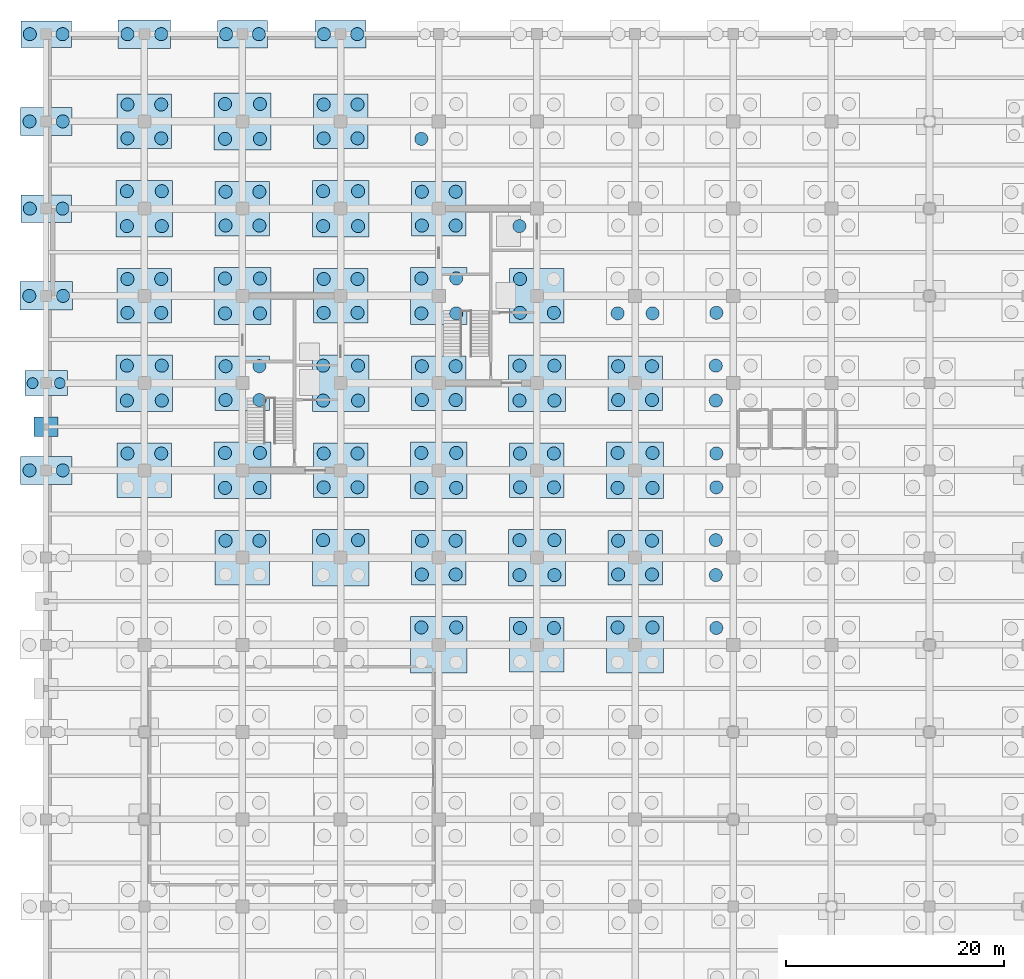
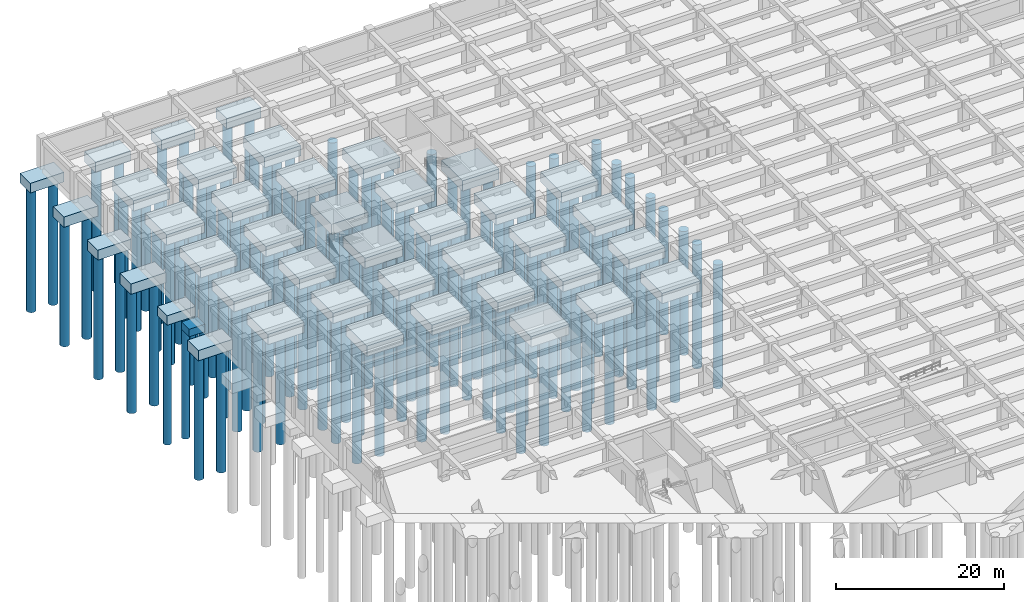
# One storey, part 4 of 31: 145 piles, 42 footings.
"""IFC4 building model written with IfcOpenShell, lengths in metres."""

from ifc_helpers import new_model, si_unit, direction, frame, origin, origin_2d, place, context, subcontext, project, spatial, rectangle, circle, extrude, material, layer, layer_set, material_profile, profile_set, type_object, element, save


model = new_model("IFC4")

# Units and contexts
model_context = context("Model", 3, precision=1e-05, world=origin(), true_north=direction((0.0, 1.0)))
body_context = subcontext(model_context, "Body", "Model", "MODEL_VIEW")
ifc_project = project(units=[si_unit("LENGTHUNIT", "METRE"), si_unit("AREAUNIT", "SQUARE_METRE"), si_unit("VOLUMEUNIT", "CUBIC_METRE"), si_unit("PLANEANGLEUNIT", "RADIAN"), si_unit("MASSUNIT", "GRAM", prefix="KILO")], contexts=[model_context])

# Site, building, storey
site_placement = place(None, origin())
site = spatial("IfcSite", under=ifc_project, at=site_placement, CompositionType="ELEMENT")
building_placement = place(site_placement, origin())
building = spatial("IfcBuilding", under=site, at=building_placement, Name="Zaverband Oceanarium and Marine Research Institute", CompositionType="ELEMENT")
storey_placement = place(building_placement, frame((0.0, 0.0, -9.0)))
storey = spatial("IfcBuildingStorey", under=building, at=storey_placement, Name="B2", CompositionType="ELEMENT", Elevation=-9.0)

# Footings
ifc_material_1 = material(Name="Concrete C50/60", Category="concrete")
ifc_layer_1 = layer(ifc_material_1, 1.39990234375, Name="Concrete C50/60")
ifc_layer_set_1 = layer_set([ifc_layer_1], Name="Concrete C50/60")
footing_type_1 = type_object("IfcFootingType", Name="PC-3900x2300x1400", PredefinedType="PILE_CAP", material=ifc_layer_set_1)
footing_1_placement = place(storey_placement, frame((0.0, 88.0, -2.300048828125), z_axis=(0.0, 0.0, 1.0), x_axis=(1.0, 0.0, 0.0)))
element("IfcFooting", 1, at=footing_1_placement, inside=storey, type_object=footing_type_1, Name="Reinforced concrete pile cap PC-3900x2300x1400", PredefinedType="PILE_CAP", context=body_context, shape_type="SweptSolid", body=[
    extrude(rectangle(XDim=3.89990234375, YDim=2.300048828125, at=origin_2d()), origin(), (0.0, 0.0, 1.0), 1.39990234375),
])
ifc_layer_2 = layer(ifc_material_1, 1.449951171875, Name="Concrete C50/60")
ifc_layer_set_2 = layer_set([ifc_layer_2], Name="Concrete C50/60")
footing_type_2 = type_object("IfcFootingType", Name="PC-4600x2500x1450", PredefinedType="PILE_CAP", material=ifc_layer_set_2)
for number, where, z_axis, x_axis, name in (
    (2, (0.0, 104.0, -2.35009765625), (0.0, 0.0, 1.0), (1.0, 0.0, 0.0), "Reinforced concrete pile cap PC-4600x2500x1450"),
    (3, (18.0, 120.0, -2.35009765625), (0.0, 0.0, 1.0), (1.0, 0.0, 0.0), "Reinforced concrete pile cap PC-4600x2500x1450"),
):
    element("IfcFooting", number, at=place(storey_placement, frame(where, z_axis=z_axis, x_axis=x_axis)), inside=storey, type_object=footing_type_2, Name=name, PredefinedType="PILE_CAP", context=body_context, shape_type="SweptSolid", body=[
        extrude(rectangle(XDim=4.60009765625, YDim=2.5, at=origin_2d()), origin(), (0.0, 0.0, 1.0), 1.449951171875),
    ])
ifc_layer_3 = layer(ifc_material_1, 1.39990234375, Name="Concrete C50/60")
ifc_layer_set_3 = layer_set([ifc_layer_3], Name="Concrete C50/60")
footing_type_3 = type_object("IfcFootingType", Name="PC-4650x2450x1400", PredefinedType="PILE_CAP", material=ifc_layer_set_3)
footing_2_placement = place(storey_placement, frame((0.0, 120.0, -2.300048828125), z_axis=(0.0, 0.0, 1.0), x_axis=(1.0, 0.0, 0.0)))
element("IfcFooting", 4, at=footing_2_placement, inside=storey, type_object=footing_type_3, Name="Reinforced concrete pile cap PC-4650x2450x1400", PredefinedType="PILE_CAP", context=body_context, shape_type="SweptSolid", body=[
    extrude(rectangle(XDim=4.64990234375, YDim=2.449951171875, at=origin_2d()), origin(), (0.0, 0.0, 1.0), 1.39990234375),
])
ifc_layer_4 = layer(ifc_material_1, 1.5, Name="Concrete C50/60")
ifc_layer_set_4 = layer_set([ifc_layer_4], Name="Concrete C50/60")
footing_type_4 = type_object("IfcFootingType", Name="PC-4700x2550x1500", PredefinedType="PILE_CAP", material=ifc_layer_set_4)
for number, where, z_axis, x_axis, name in (
    (5, (0.0, 80.0, -2.39990234375), (0.0, 0.0, 1.0), (1.0, 0.0, 0.0), "Reinforced concrete pile cap PC-4700x2550x1500"),
    (6, (0.0, 112.0, -2.39990234375), (0.0, 0.0, 1.0), (1.0, 0.0, 0.0), "Reinforced concrete pile cap PC-4700x2550x1500"),
    (7, (27.0, 120.0, -2.39990234375), (0.0, 0.0, 1.0), (1.0, 0.0, 0.0), "Reinforced concrete pile cap PC-4700x2550x1500"),
):
    element("IfcFooting", number, at=place(storey_placement, frame(where, z_axis=z_axis, x_axis=x_axis)), inside=storey, type_object=footing_type_4, Name=name, PredefinedType="PILE_CAP", context=body_context, shape_type="SweptSolid", body=[
        extrude(rectangle(XDim=4.699951171875, YDim=2.550048828125, at=origin_2d()), origin(), (0.0, 0.0, 1.0), 1.5),
    ])
ifc_layer_5 = layer(ifc_material_1, 1.5, Name="Concrete C50/60")
ifc_layer_set_5 = layer_set([ifc_layer_5], Name="Concrete C50/60")
footing_type_5 = type_object("IfcFootingType", Name="PC-4800x2600x1500", PredefinedType="PILE_CAP", material=ifc_layer_set_5)
for number, where, z_axis, x_axis, name in (
    (8, (0.0, 96.0, -2.39990234375), (0.0, 0.0, 1.0), (1.0, 0.0, 0.0), "Reinforced concrete pile cap PC-4800x2600x1500"),
    (9, (9.0, 120.0, -2.39990234375), (0.0, 0.0, 1.0), (1.0, 0.0, 0.0), "Reinforced concrete pile cap PC-4800x2600x1500"),
):
    element("IfcFooting", number, at=place(storey_placement, frame(where, z_axis=z_axis, x_axis=x_axis)), inside=storey, type_object=footing_type_5, Name=name, PredefinedType="PILE_CAP", context=body_context, shape_type="SweptSolid", body=[
        extrude(rectangle(XDim=4.800048828125, YDim=2.60009765625, at=origin_2d()), origin(), (0.0, 0.0, 1.0), 1.5),
    ])
ifc_layer_6 = layer(ifc_material_1, 1.5, Name="Concrete C50/60")
ifc_layer_set_6 = layer_set([ifc_layer_6], Name="Concrete C50/60")
footing_type_6 = type_object("IfcFootingType", Name="PC-5000x5000x1500", PredefinedType="PILE_CAP", material=ifc_layer_set_6)
for number, where, z_axis, x_axis, name in (
    (10, (9.0, 80.0, -2.39990234375), (0.0, 0.0, 1.0), (1.0, 0.0, 0.0), "Reinforced concrete pile cap PC-5000x5000x1500"),
    (11, (9.0, 96.0, -2.39990234375), (0.0, 0.0, 1.0), (1.0, 0.0, 0.0), "Reinforced concrete pile cap PC-5000x5000x1500"),
    (12, (9.0, 112.0, -2.39990234375), (0.0, 0.0, 1.0), (1.0, 0.0, 0.0), "Reinforced concrete pile cap PC-5000x5000x1500"),
    (13, (18.0, 72.0, -2.39990234375), (0.0, 0.0, 1.0), (1.0, 0.0, 0.0), "Reinforced concrete pile cap PC-5000x5000x1500"),
    (14, (18.0, 88.0, -2.39990234375), (0.0, 0.0, 1.0), (1.0, 0.0, 0.0), "Reinforced concrete pile cap PC-5000x5000x1500"),
    (15, (18.0, 104.0, -2.39990234375), (0.0, 0.0, 1.0), (1.0, 0.0, 0.0), "Reinforced concrete pile cap PC-5000x5000x1500"),
    (16, (27.0, 80.0, -2.39990234375), (0.0, 0.0, 1.0), (1.0, 0.0, 0.0), "Reinforced concrete pile cap PC-5000x5000x1500"),
    (17, (27.0, 96.0, -2.39990234375), (0.0, 0.0, 1.0), (1.0, 0.0, 0.0), "Reinforced concrete pile cap PC-5000x5000x1500"),
    (18, (27.0, 112.0, -2.39990234375), (0.0, 0.0, 1.0), (1.0, 0.0, 0.0), "Reinforced concrete pile cap PC-5000x5000x1500"),
    (19, (36.0, 72.0, -2.39990234375), (0.0, 0.0, 1.0), (1.0, 0.0, 0.0), "Reinforced concrete pile cap PC-5000x5000x1500"),
    (20, (36.0, 88.0, -2.39990234375), (0.0, 0.0, 1.0), (1.0, 0.0, 0.0), "Reinforced concrete pile cap PC-5000x5000x1500"),
    (21, (36.0, 104.0, -2.39990234375), (0.0, 0.0, 1.0), (1.0, 0.0, 0.0), "Reinforced concrete pile cap PC-5000x5000x1500"),
    (22, (45.0, 64.0, -2.39990234375), (0.0, 0.0, 1.0), (1.0, 0.0, 0.0), "Reinforced concrete pile cap PC-5000x5000x1500"),
    (23, (45.0, 80.0, -2.39990234375), (0.0, 0.0, 1.0), (1.0, 0.0, 0.0), "Reinforced concrete pile cap PC-5000x5000x1500"),
    (24, (45.0, 96.0, -2.39990234375), (0.0, 0.0, 1.0), (1.0, 0.0, 0.0), "Reinforced concrete pile cap PC-5000x5000x1500"),
    (25, (54.0, 72.0, -2.39990234375), (0.0, 0.0, 1.0), (1.0, 0.0, 0.0), "Reinforced concrete pile cap PC-5000x5000x1500"),
    (26, (54.0, 88.0, -2.39990234375), (0.0, 0.0, 1.0), (1.0, 0.0, 0.0), "Reinforced concrete pile cap PC-5000x5000x1500"),
):
    element("IfcFooting", number, at=place(storey_placement, frame(where, z_axis=z_axis, x_axis=x_axis)), inside=storey, type_object=footing_type_6, Name=name, PredefinedType="PILE_CAP", context=body_context, shape_type="SweptSolid", body=[
        extrude(rectangle(XDim=5.0, YDim=5.0, at=origin_2d()), origin(), (0.0, 0.0, 1.0), 1.5),
    ])
ifc_layer_7 = layer(ifc_material_1, 1.5, Name="Concrete C50/60")
ifc_layer_set_7 = layer_set([ifc_layer_7], Name="Concrete C50/60")
footing_type_7 = type_object("IfcFootingType", Name="PC-5200x5200x1500", PredefinedType="PILE_CAP", material=ifc_layer_set_7)
for number, where, z_axis, x_axis, name in (
    (27, (9.0, 88.0, -2.39990234375), (0.0, 0.0, 1.0), (1.0, 0.0, 0.0), "Reinforced concrete pile cap PC-5200x5200x1500"),
    (28, (9.0, 104.0, -2.39990234375), (0.0, 0.0, 1.0), (1.0, 0.0, 0.0), "Reinforced concrete pile cap PC-5200x5200x1500"),
    (29, (18.0, 80.0, -2.39990234375), (0.0, 0.0, 1.0), (1.0, 0.0, 0.0), "Reinforced concrete pile cap PC-5200x5200x1500"),
    (30, (18.0, 96.0, -2.39990234375), (0.0, 0.0, 1.0), (1.0, 0.0, 0.0), "Reinforced concrete pile cap PC-5200x5200x1500"),
    (31, (18.0, 112.0, -2.39990234375), (0.0, 0.0, 1.0), (1.0, 0.0, 0.0), "Reinforced concrete pile cap PC-5200x5200x1500"),
    (32, (27.0, 72.0, -2.39990234375), (0.0, 0.0, 1.0), (1.0, 0.0, 0.0), "Reinforced concrete pile cap PC-5200x5200x1500"),
    (33, (27.0, 88.0, -2.39990234375), (0.0, 0.0, 1.0), (1.0, 0.0, 0.0), "Reinforced concrete pile cap PC-5200x5200x1500"),
    (34, (27.0, 104.0, -2.39990234375), (0.0, 0.0, 1.0), (1.0, 0.0, 0.0), "Reinforced concrete pile cap PC-5200x5200x1500"),
    (35, (36.0, 64.0, -2.39990234375), (0.0, 0.0, 1.0), (1.0, 0.0, 0.0), "Reinforced concrete pile cap PC-5200x5200x1500"),
    (36, (36.0, 80.0, -2.39990234375), (0.0, 0.0, 1.0), (1.0, 0.0, 0.0), "Reinforced concrete pile cap PC-5200x5200x1500"),
    (37, (36.0, 96.0, -2.39990234375), (0.0, 0.0, 1.0), (1.0, 0.0, 0.0), "Reinforced concrete pile cap PC-5200x5200x1500"),
    (38, (45.0, 72.0, -2.39990234375), (0.0, 0.0, 1.0), (1.0, 0.0, 0.0), "Reinforced concrete pile cap PC-5200x5200x1500"),
    (39, (45.0, 88.0, -2.39990234375), (0.0, 0.0, 1.0), (1.0, 0.0, 0.0), "Reinforced concrete pile cap PC-5200x5200x1500"),
    (40, (54.0, 64.0, -2.39990234375), (0.0, 0.0, 1.0), (1.0, 0.0, 0.0), "Reinforced concrete pile cap PC-5200x5200x1500"),
    (41, (54.0, 80.0, -2.39990234375), (0.0, 0.0, 1.0), (1.0, 0.0, 0.0), "Reinforced concrete pile cap PC-5200x5200x1500"),
):
    element("IfcFooting", number, at=place(storey_placement, frame(where, z_axis=z_axis, x_axis=x_axis)), inside=storey, type_object=footing_type_7, Name=name, PredefinedType="PILE_CAP", context=body_context, shape_type="SweptSolid", body=[
        extrude(rectangle(XDim=5.199951171875, YDim=5.199951171875, at=origin_2d()), origin(), (0.0, 0.0, 1.0), 1.5),
    ])
ifc_material_2 = material(Name="Concrete C40/50", Category="concrete")
ifc_layer_8 = layer(ifc_material_2, 1.10009765625, Name="Concrete C40/50")
ifc_layer_set_8 = layer_set([ifc_layer_8], Name="Concrete C40/50")
footing_type_8 = type_object("IfcFootingType", Name="PF-2200x1800x1100", PredefinedType="PAD_FOOTING", material=ifc_layer_set_8)
footing_3_placement = place(storey_placement, frame((0.0, 84.0, -2.0), z_axis=(0.0, 0.0, 1.0), x_axis=(1.0, 0.0, 0.0)))
element("IfcFooting", 42, at=footing_3_placement, inside=storey, type_object=footing_type_8, Name="Isolated pad footing PF-2200x1800x1100", PredefinedType="PAD_FOOTING", context=body_context, shape_type="SweptSolid", body=[
    extrude(rectangle(XDim=2.199951171875, YDim=1.800048828125, at=origin_2d()), origin(), (0.0, 0.0, 1.0), 1.10009765625),
])

# Piles
ifc_material_profile_1 = material_profile(ifc_material_1, circle(Radius=0.5, at=origin_2d()), Name="BP1000")
ifc_profile_set_1 = profile_set([ifc_material_profile_1], Name="Concrete C50/60")
pile_type_1 = type_object("IfcPileType", Name="PL-BP1000", PredefinedType="BORED", material=ifc_profile_set_1)
for number, where, z_axis, x_axis, name in (
    (43, (-1.25, 88.0, -2.300048828125), (0.0, 0.0, -1.0), (1.0, 0.0, 0.0), "Rotary bored cast-in-place pile PL-BP1000"),
    (44, (1.25, 88.0, -2.300048828125), (0.0, 0.0, -1.0), (1.0, 0.0, 0.0), "Rotary bored cast-in-place pile PL-BP1000"),
):
    element("IfcPile", number, at=place(storey_placement, frame(where, z_axis=z_axis, x_axis=x_axis)), inside=storey, type_object=pile_type_1, Name=name, PredefinedType="BORED", context=body_context, shape_type="SweptSolid", body=[
        extrude(circle(Radius=0.5, at=origin_2d()), origin(), (0.0, 0.0, 1.0), 18.0),
    ])
ifc_material_profile_2 = material_profile(ifc_material_1, circle(Radius=0.60009765625, at=origin_2d()), Name="BP1200")
ifc_profile_set_2 = profile_set([ifc_material_profile_2], Name="Concrete C50/60")
pile_type_2 = type_object("IfcPileType", Name="PL-BP1200", PredefinedType="BORED", material=ifc_profile_set_2)
for number, where, z_axis, x_axis, name in (
    (45, (-1.52490234375, 80.0, -2.39990234375), (0.0, 0.0, -1.0), (1.0, 0.0, 0.0), "Rotary bored cast-in-place pile PL-BP1200"),
    (46, (1.52490234375, 80.0, -2.39990234375), (0.0, 0.0, -1.0), (1.0, 0.0, 0.0), "Rotary bored cast-in-place pile PL-BP1200"),
    (47, (-1.550048828125, 96.0, -2.39990234375), (0.0, 0.0, -1.0), (1.0, 0.0, 0.0), "Rotary bored cast-in-place pile PL-BP1200"),
    (48, (1.550048828125, 96.0, -2.39990234375), (0.0, 0.0, -1.0), (1.0, 0.0, 0.0), "Rotary bored cast-in-place pile PL-BP1200"),
    (49, (-1.5, 104.0, -2.35009765625), (0.0, 0.0, -1.0), (1.0, 0.0, 0.0), "Rotary bored cast-in-place pile PL-BP1200"),
    (50, (1.5, 104.0, -2.35009765625), (0.0, 0.0, -1.0), (1.0, 0.0, 0.0), "Rotary bored cast-in-place pile PL-BP1200"),
    (51, (-1.52490234375, 112.0, -2.39990234375), (0.0, 0.0, -1.0), (1.0, 0.0, 0.0), "Rotary bored cast-in-place pile PL-BP1200"),
    (52, (1.52490234375, 112.0, -2.39990234375), (0.0, 0.0, -1.0), (1.0, 0.0, 0.0), "Rotary bored cast-in-place pile PL-BP1200"),
    (53, (-1.5, 120.0, -2.300048828125), (0.0, 0.0, -1.0), (1.0, 0.0, 0.0), "Rotary bored cast-in-place pile PL-BP1200"),
    (54, (1.5, 120.0, -2.300048828125), (0.0, 0.0, -1.0), (1.0, 0.0, 0.0), "Rotary bored cast-in-place pile PL-BP1200"),
    (55, (7.449951171875, 81.550048828125, -2.39990234375), (0.0, 0.0, -1.0), (1.0, 0.0, 0.0), "Rotary bored cast-in-place pile PL-BP1200"),
    (56, (10.550048828125, 81.550048828125, -2.39990234375), (0.0, 0.0, -1.0), (1.0, 0.0, 0.0), "Rotary bored cast-in-place pile PL-BP1200"),
    (57, (7.39990234375, 86.39990234375, -2.39990234375), (0.0, 0.0, -1.0), (1.0, 0.0, 0.0), "Rotary bored cast-in-place pile PL-BP1200"),
    (58, (10.60009765625, 86.39990234375, -2.39990234375), (0.0, 0.0, -1.0), (1.0, 0.0, 0.0), "Rotary bored cast-in-place pile PL-BP1200"),
    (59, (7.39990234375, 89.60009765625, -2.39990234375), (0.0, 0.0, -1.0), (1.0, 0.0, 0.0), "Rotary bored cast-in-place pile PL-BP1200"),
    (60, (10.60009765625, 89.60009765625, -2.39990234375), (0.0, 0.0, -1.0), (1.0, 0.0, 0.0), "Rotary bored cast-in-place pile PL-BP1200"),
    (61, (7.449951171875, 94.449951171875, -2.39990234375), (0.0, 0.0, -1.0), (1.0, 0.0, 0.0), "Rotary bored cast-in-place pile PL-BP1200"),
    (62, (10.550048828125, 94.449951171875, -2.39990234375), (0.0, 0.0, -1.0), (1.0, 0.0, 0.0), "Rotary bored cast-in-place pile PL-BP1200"),
    (63, (7.449951171875, 97.550048828125, -2.39990234375), (0.0, 0.0, -1.0), (1.0, 0.0, 0.0), "Rotary bored cast-in-place pile PL-BP1200"),
    (64, (10.550048828125, 97.550048828125, -2.39990234375), (0.0, 0.0, -1.0), (1.0, 0.0, 0.0), "Rotary bored cast-in-place pile PL-BP1200"),
    (65, (7.39990234375, 102.39990234375, -2.39990234375), (0.0, 0.0, -1.0), (1.0, 0.0, 0.0), "Rotary bored cast-in-place pile PL-BP1200"),
    (66, (10.60009765625, 102.39990234375, -2.39990234375), (0.0, 0.0, -1.0), (1.0, 0.0, 0.0), "Rotary bored cast-in-place pile PL-BP1200"),
    (67, (7.39990234375, 105.60009765625, -2.39990234375), (0.0, 0.0, -1.0), (1.0, 0.0, 0.0), "Rotary bored cast-in-place pile PL-BP1200"),
    (68, (10.60009765625, 105.60009765625, -2.39990234375), (0.0, 0.0, -1.0), (1.0, 0.0, 0.0), "Rotary bored cast-in-place pile PL-BP1200"),
    (69, (7.449951171875, 110.449951171875, -2.39990234375), (0.0, 0.0, -1.0), (1.0, 0.0, 0.0), "Rotary bored cast-in-place pile PL-BP1200"),
    (70, (10.550048828125, 110.449951171875, -2.39990234375), (0.0, 0.0, -1.0), (1.0, 0.0, 0.0), "Rotary bored cast-in-place pile PL-BP1200"),
    (71, (7.449951171875, 113.550048828125, -2.39990234375), (0.0, 0.0, -1.0), (1.0, 0.0, 0.0), "Rotary bored cast-in-place pile PL-BP1200"),
    (72, (10.550048828125, 113.550048828125, -2.39990234375), (0.0, 0.0, -1.0), (1.0, 0.0, 0.0), "Rotary bored cast-in-place pile PL-BP1200"),
    (73, (7.449951171875, 120.0, -2.39990234375), (0.0, 0.0, -1.0), (1.0, 0.0, 0.0), "Rotary bored cast-in-place pile PL-BP1200"),
    (74, (10.550048828125, 120.0, -2.39990234375), (0.0, 0.0, -1.0), (1.0, 0.0, 0.0), "Rotary bored cast-in-place pile PL-BP1200"),
    (75, (16.449951171875, 73.550048828125, -2.39990234375), (0.0, 0.0, -1.0), (1.0, 0.0, 0.0), "Rotary bored cast-in-place pile PL-BP1200"),
    (76, (19.550048828125, 73.550048828125, -2.39990234375), (0.0, 0.0, -1.0), (1.0, 0.0, 0.0), "Rotary bored cast-in-place pile PL-BP1200"),
    (77, (16.39990234375, 78.39990234375, -2.39990234375), (0.0, 0.0, -1.0), (1.0, 0.0, 0.0), "Rotary bored cast-in-place pile PL-BP1200"),
    (78, (19.60009765625, 78.39990234375, -2.39990234375), (0.0, 0.0, -1.0), (1.0, 0.0, 0.0), "Rotary bored cast-in-place pile PL-BP1200"),
    (79, (16.39990234375, 81.60009765625, -2.39990234375), (0.0, 0.0, -1.0), (1.0, 0.0, 0.0), "Rotary bored cast-in-place pile PL-BP1200"),
    (80, (19.60009765625, 81.60009765625, -2.39990234375), (0.0, 0.0, -1.0), (1.0, 0.0, 0.0), "Rotary bored cast-in-place pile PL-BP1200"),
    (81, (16.449951171875, 86.449951171875, -2.39990234375), (0.0, 0.0, -1.0), (1.0, 0.0, 0.0), "Rotary bored cast-in-place pile PL-BP1200"),
    (82, (19.550048828125, 86.449951171875, -2.39990234375), (0.0, 0.0, -1.0), (1.0, 0.0, 0.0), "Rotary bored cast-in-place pile PL-BP1200"),
    (83, (16.449951171875, 89.550048828125, -2.39990234375), (0.0, 0.0, -1.0), (1.0, 0.0, 0.0), "Rotary bored cast-in-place pile PL-BP1200"),
    (84, (19.550048828125, 89.550048828125, -2.39990234375), (0.0, 0.0, -1.0), (1.0, 0.0, 0.0), "Rotary bored cast-in-place pile PL-BP1200"),
    (85, (16.39990234375, 94.39990234375, -2.39990234375), (0.0, 0.0, -1.0), (1.0, 0.0, 0.0), "Rotary bored cast-in-place pile PL-BP1200"),
    (86, (19.60009765625, 94.39990234375, -2.39990234375), (0.0, 0.0, -1.0), (1.0, 0.0, 0.0), "Rotary bored cast-in-place pile PL-BP1200"),
    (87, (16.39990234375, 97.60009765625, -2.39990234375), (0.0, 0.0, -1.0), (1.0, 0.0, 0.0), "Rotary bored cast-in-place pile PL-BP1200"),
    (88, (19.60009765625, 97.60009765625, -2.39990234375), (0.0, 0.0, -1.0), (1.0, 0.0, 0.0), "Rotary bored cast-in-place pile PL-BP1200"),
    (89, (16.449951171875, 102.449951171875, -2.39990234375), (0.0, 0.0, -1.0), (1.0, 0.0, 0.0), "Rotary bored cast-in-place pile PL-BP1200"),
    (90, (19.550048828125, 102.449951171875, -2.39990234375), (0.0, 0.0, -1.0), (1.0, 0.0, 0.0), "Rotary bored cast-in-place pile PL-BP1200"),
    (91, (16.449951171875, 105.550048828125, -2.39990234375), (0.0, 0.0, -1.0), (1.0, 0.0, 0.0), "Rotary bored cast-in-place pile PL-BP1200"),
    (92, (19.550048828125, 105.550048828125, -2.39990234375), (0.0, 0.0, -1.0), (1.0, 0.0, 0.0), "Rotary bored cast-in-place pile PL-BP1200"),
    (93, (16.39990234375, 110.39990234375, -2.39990234375), (0.0, 0.0, -1.0), (1.0, 0.0, 0.0), "Rotary bored cast-in-place pile PL-BP1200"),
    (94, (19.60009765625, 110.39990234375, -2.39990234375), (0.0, 0.0, -1.0), (1.0, 0.0, 0.0), "Rotary bored cast-in-place pile PL-BP1200"),
    (95, (16.39990234375, 113.60009765625, -2.39990234375), (0.0, 0.0, -1.0), (1.0, 0.0, 0.0), "Rotary bored cast-in-place pile PL-BP1200"),
    (96, (19.60009765625, 113.60009765625, -2.39990234375), (0.0, 0.0, -1.0), (1.0, 0.0, 0.0), "Rotary bored cast-in-place pile PL-BP1200"),
    (97, (16.5, 120.0, -2.35009765625), (0.0, 0.0, -1.0), (1.0, 0.0, 0.0), "Rotary bored cast-in-place pile PL-BP1200"),
    (98, (19.5, 120.0, -2.35009765625), (0.0, 0.0, -1.0), (1.0, 0.0, 0.0), "Rotary bored cast-in-place pile PL-BP1200"),
    (99, (25.39990234375, 73.60009765625, -2.39990234375), (0.0, 0.0, -1.0), (1.0, 0.0, 0.0), "Rotary bored cast-in-place pile PL-BP1200"),
    (100, (28.60009765625, 73.60009765625, -2.39990234375), (0.0, 0.0, -1.0), (1.0, 0.0, 0.0), "Rotary bored cast-in-place pile PL-BP1200"),
    (101, (25.449951171875, 78.449951171875, -2.39990234375), (0.0, 0.0, -1.0), (1.0, 0.0, 0.0), "Rotary bored cast-in-place pile PL-BP1200"),
    (102, (28.550048828125, 78.449951171875, -2.39990234375), (0.0, 0.0, -1.0), (1.0, 0.0, 0.0), "Rotary bored cast-in-place pile PL-BP1200"),
    (103, (25.449951171875, 81.550048828125, -2.39990234375), (0.0, 0.0, -1.0), (1.0, 0.0, 0.0), "Rotary bored cast-in-place pile PL-BP1200"),
    (104, (28.550048828125, 81.550048828125, -2.39990234375), (0.0, 0.0, -1.0), (1.0, 0.0, 0.0), "Rotary bored cast-in-place pile PL-BP1200"),
    (105, (25.39990234375, 86.39990234375, -2.39990234375), (0.0, 0.0, -1.0), (1.0, 0.0, 0.0), "Rotary bored cast-in-place pile PL-BP1200"),
    (106, (28.60009765625, 86.39990234375, -2.39990234375), (0.0, 0.0, -1.0), (1.0, 0.0, 0.0), "Rotary bored cast-in-place pile PL-BP1200"),
    (107, (25.39990234375, 89.60009765625, -2.39990234375), (0.0, 0.0, -1.0), (1.0, 0.0, 0.0), "Rotary bored cast-in-place pile PL-BP1200"),
    (108, (28.60009765625, 89.60009765625, -2.39990234375), (0.0, 0.0, -1.0), (1.0, 0.0, 0.0), "Rotary bored cast-in-place pile PL-BP1200"),
    (109, (25.449951171875, 94.449951171875, -2.39990234375), (0.0, 0.0, -1.0), (1.0, 0.0, 0.0), "Rotary bored cast-in-place pile PL-BP1200"),
    (110, (28.550048828125, 94.449951171875, -2.39990234375), (0.0, 0.0, -1.0), (1.0, 0.0, 0.0), "Rotary bored cast-in-place pile PL-BP1200"),
    (111, (25.449951171875, 97.550048828125, -2.39990234375), (0.0, 0.0, -1.0), (1.0, 0.0, 0.0), "Rotary bored cast-in-place pile PL-BP1200"),
    (112, (28.550048828125, 97.550048828125, -2.39990234375), (0.0, 0.0, -1.0), (1.0, 0.0, 0.0), "Rotary bored cast-in-place pile PL-BP1200"),
    (113, (25.39990234375, 102.39990234375, -2.39990234375), (0.0, 0.0, -1.0), (1.0, 0.0, 0.0), "Rotary bored cast-in-place pile PL-BP1200"),
    (114, (28.60009765625, 102.39990234375, -2.39990234375), (0.0, 0.0, -1.0), (1.0, 0.0, 0.0), "Rotary bored cast-in-place pile PL-BP1200"),
    (115, (25.39990234375, 105.60009765625, -2.39990234375), (0.0, 0.0, -1.0), (1.0, 0.0, 0.0), "Rotary bored cast-in-place pile PL-BP1200"),
    (116, (28.60009765625, 105.60009765625, -2.39990234375), (0.0, 0.0, -1.0), (1.0, 0.0, 0.0), "Rotary bored cast-in-place pile PL-BP1200"),
    (117, (25.449951171875, 110.449951171875, -2.39990234375), (0.0, 0.0, -1.0), (1.0, 0.0, 0.0), "Rotary bored cast-in-place pile PL-BP1200"),
    (118, (28.550048828125, 110.449951171875, -2.39990234375), (0.0, 0.0, -1.0), (1.0, 0.0, 0.0), "Rotary bored cast-in-place pile PL-BP1200"),
    (119, (25.449951171875, 113.550048828125, -2.39990234375), (0.0, 0.0, -1.0), (1.0, 0.0, 0.0), "Rotary bored cast-in-place pile PL-BP1200"),
    (120, (28.550048828125, 113.550048828125, -2.39990234375), (0.0, 0.0, -1.0), (1.0, 0.0, 0.0), "Rotary bored cast-in-place pile PL-BP1200"),
    (121, (25.47509765625, 120.0, -2.39990234375), (0.0, 0.0, -1.0), (1.0, 0.0, 0.0), "Rotary bored cast-in-place pile PL-BP1200"),
    (122, (28.52490234375, 120.0, -2.39990234375), (0.0, 0.0, -1.0), (1.0, 0.0, 0.0), "Rotary bored cast-in-place pile PL-BP1200"),
    (123, (34.39990234375, 65.60009765625, -2.39990234375), (0.0, 0.0, -1.0), (1.0, 0.0, 0.0), "Rotary bored cast-in-place pile PL-BP1200"),
    (124, (37.60009765625, 65.60009765625, -2.39990234375), (0.0, 0.0, -1.0), (1.0, 0.0, 0.0), "Rotary bored cast-in-place pile PL-BP1200"),
    (125, (34.449951171875, 70.449951171875, -2.39990234375), (0.0, 0.0, -1.0), (1.0, 0.0, 0.0), "Rotary bored cast-in-place pile PL-BP1200"),
    (126, (37.550048828125, 70.449951171875, -2.39990234375), (0.0, 0.0, -1.0), (1.0, 0.0, 0.0), "Rotary bored cast-in-place pile PL-BP1200"),
    (127, (34.449951171875, 73.550048828125, -2.39990234375), (0.0, 0.0, -1.0), (1.0, 0.0, 0.0), "Rotary bored cast-in-place pile PL-BP1200"),
    (128, (37.550048828125, 73.550048828125, -2.39990234375), (0.0, 0.0, -1.0), (1.0, 0.0, 0.0), "Rotary bored cast-in-place pile PL-BP1200"),
    (129, (34.39990234375, 78.39990234375, -2.39990234375), (0.0, 0.0, -1.0), (1.0, 0.0, 0.0), "Rotary bored cast-in-place pile PL-BP1200"),
    (130, (37.60009765625, 78.39990234375, -2.39990234375), (0.0, 0.0, -1.0), (1.0, 0.0, 0.0), "Rotary bored cast-in-place pile PL-BP1200"),
    (131, (34.39990234375, 81.60009765625, -2.39990234375), (0.0, 0.0, -1.0), (1.0, 0.0, 0.0), "Rotary bored cast-in-place pile PL-BP1200"),
    (132, (37.60009765625, 81.60009765625, -2.39990234375), (0.0, 0.0, -1.0), (1.0, 0.0, 0.0), "Rotary bored cast-in-place pile PL-BP1200"),
    (133, (34.449951171875, 86.449951171875, -2.39990234375), (0.0, 0.0, -1.0), (1.0, 0.0, 0.0), "Rotary bored cast-in-place pile PL-BP1200"),
    (134, (37.550048828125, 86.449951171875, -2.39990234375), (0.0, 0.0, -1.0), (1.0, 0.0, 0.0), "Rotary bored cast-in-place pile PL-BP1200"),
    (135, (34.449951171875, 89.550048828125, -2.39990234375), (0.0, 0.0, -1.0), (1.0, 0.0, 0.0), "Rotary bored cast-in-place pile PL-BP1200"),
    (136, (37.550048828125, 89.550048828125, -2.39990234375), (0.0, 0.0, -1.0), (1.0, 0.0, 0.0), "Rotary bored cast-in-place pile PL-BP1200"),
    (137, (34.39990234375, 94.39990234375, -2.39990234375), (0.0, 0.0, -1.0), (1.0, 0.0, 0.0), "Rotary bored cast-in-place pile PL-BP1200"),
    (138, (37.60009765625, 94.39990234375, -2.39990234375), (0.0, 0.0, -1.0), (1.0, 0.0, 0.0), "Rotary bored cast-in-place pile PL-BP1200"),
    (139, (34.39990234375, 97.60009765625, -2.39990234375), (0.0, 0.0, -1.0), (1.0, 0.0, 0.0), "Rotary bored cast-in-place pile PL-BP1200"),
    (140, (37.60009765625, 97.60009765625, -2.39990234375), (0.0, 0.0, -1.0), (1.0, 0.0, 0.0), "Rotary bored cast-in-place pile PL-BP1200"),
    (141, (34.449951171875, 102.449951171875, -2.39990234375), (0.0, 0.0, -1.0), (1.0, 0.0, 0.0), "Rotary bored cast-in-place pile PL-BP1200"),
    (142, (37.550048828125, 102.449951171875, -2.39990234375), (0.0, 0.0, -1.0), (1.0, 0.0, 0.0), "Rotary bored cast-in-place pile PL-BP1200"),
    (143, (34.449951171875, 105.550048828125, -2.39990234375), (0.0, 0.0, -1.0), (1.0, 0.0, 0.0), "Rotary bored cast-in-place pile PL-BP1200"),
    (144, (37.550048828125, 105.550048828125, -2.39990234375), (0.0, 0.0, -1.0), (1.0, 0.0, 0.0), "Rotary bored cast-in-place pile PL-BP1200"),
    (145, (34.39990234375, 110.39990234375, -2.39990234375), (0.0, 0.0, -1.0), (1.0, 0.0, 0.0), "Rotary bored cast-in-place pile PL-BP1200"),
    (146, (43.449951171875, 65.550048828125, -2.39990234375), (0.0, 0.0, -1.0), (1.0, 0.0, 0.0), "Rotary bored cast-in-place pile PL-BP1200"),
    (147, (46.550048828125, 65.550048828125, -2.39990234375), (0.0, 0.0, -1.0), (1.0, 0.0, 0.0), "Rotary bored cast-in-place pile PL-BP1200"),
    (148, (43.39990234375, 70.39990234375, -2.39990234375), (0.0, 0.0, -1.0), (1.0, 0.0, 0.0), "Rotary bored cast-in-place pile PL-BP1200"),
    (149, (46.60009765625, 70.39990234375, -2.39990234375), (0.0, 0.0, -1.0), (1.0, 0.0, 0.0), "Rotary bored cast-in-place pile PL-BP1200"),
    (150, (43.39990234375, 73.60009765625, -2.39990234375), (0.0, 0.0, -1.0), (1.0, 0.0, 0.0), "Rotary bored cast-in-place pile PL-BP1200"),
    (151, (46.60009765625, 73.60009765625, -2.39990234375), (0.0, 0.0, -1.0), (1.0, 0.0, 0.0), "Rotary bored cast-in-place pile PL-BP1200"),
    (152, (43.449951171875, 78.449951171875, -2.39990234375), (0.0, 0.0, -1.0), (1.0, 0.0, 0.0), "Rotary bored cast-in-place pile PL-BP1200"),
    (153, (46.550048828125, 78.449951171875, -2.39990234375), (0.0, 0.0, -1.0), (1.0, 0.0, 0.0), "Rotary bored cast-in-place pile PL-BP1200"),
    (154, (43.449951171875, 81.550048828125, -2.39990234375), (0.0, 0.0, -1.0), (1.0, 0.0, 0.0), "Rotary bored cast-in-place pile PL-BP1200"),
    (155, (46.550048828125, 81.550048828125, -2.39990234375), (0.0, 0.0, -1.0), (1.0, 0.0, 0.0), "Rotary bored cast-in-place pile PL-BP1200"),
    (156, (43.39990234375, 86.39990234375, -2.39990234375), (0.0, 0.0, -1.0), (1.0, 0.0, 0.0), "Rotary bored cast-in-place pile PL-BP1200"),
    (157, (46.60009765625, 86.39990234375, -2.39990234375), (0.0, 0.0, -1.0), (1.0, 0.0, 0.0), "Rotary bored cast-in-place pile PL-BP1200"),
    (158, (43.39990234375, 89.60009765625, -2.39990234375), (0.0, 0.0, -1.0), (1.0, 0.0, 0.0), "Rotary bored cast-in-place pile PL-BP1200"),
    (159, (46.60009765625, 89.60009765625, -2.39990234375), (0.0, 0.0, -1.0), (1.0, 0.0, 0.0), "Rotary bored cast-in-place pile PL-BP1200"),
    (160, (43.449951171875, 94.449951171875, -2.39990234375), (0.0, 0.0, -1.0), (1.0, 0.0, 0.0), "Rotary bored cast-in-place pile PL-BP1200"),
    (161, (46.550048828125, 94.449951171875, -2.39990234375), (0.0, 0.0, -1.0), (1.0, 0.0, 0.0), "Rotary bored cast-in-place pile PL-BP1200"),
    (162, (43.449951171875, 97.550048828125, -2.39990234375), (0.0, 0.0, -1.0), (1.0, 0.0, 0.0), "Rotary bored cast-in-place pile PL-BP1200"),
    (163, (43.39990234375, 102.39990234375, -2.39990234375), (0.0, 0.0, -1.0), (1.0, 0.0, 0.0), "Rotary bored cast-in-place pile PL-BP1200"),
    (164, (52.39990234375, 65.60009765625, -2.39990234375), (0.0, 0.0, -1.0), (1.0, 0.0, 0.0), "Rotary bored cast-in-place pile PL-BP1200"),
    (165, (55.60009765625, 65.60009765625, -2.39990234375), (0.0, 0.0, -1.0), (1.0, 0.0, 0.0), "Rotary bored cast-in-place pile PL-BP1200"),
    (166, (52.449951171875, 70.449951171875, -2.39990234375), (0.0, 0.0, -1.0), (1.0, 0.0, 0.0), "Rotary bored cast-in-place pile PL-BP1200"),
    (167, (55.550048828125, 70.449951171875, -2.39990234375), (0.0, 0.0, -1.0), (1.0, 0.0, 0.0), "Rotary bored cast-in-place pile PL-BP1200"),
    (168, (52.449951171875, 73.550048828125, -2.39990234375), (0.0, 0.0, -1.0), (1.0, 0.0, 0.0), "Rotary bored cast-in-place pile PL-BP1200"),
    (169, (55.550048828125, 73.550048828125, -2.39990234375), (0.0, 0.0, -1.0), (1.0, 0.0, 0.0), "Rotary bored cast-in-place pile PL-BP1200"),
    (170, (52.39990234375, 78.39990234375, -2.39990234375), (0.0, 0.0, -1.0), (1.0, 0.0, 0.0), "Rotary bored cast-in-place pile PL-BP1200"),
    (171, (55.60009765625, 78.39990234375, -2.39990234375), (0.0, 0.0, -1.0), (1.0, 0.0, 0.0), "Rotary bored cast-in-place pile PL-BP1200"),
    (172, (52.39990234375, 81.60009765625, -2.39990234375), (0.0, 0.0, -1.0), (1.0, 0.0, 0.0), "Rotary bored cast-in-place pile PL-BP1200"),
    (173, (55.60009765625, 81.60009765625, -2.39990234375), (0.0, 0.0, -1.0), (1.0, 0.0, 0.0), "Rotary bored cast-in-place pile PL-BP1200"),
    (174, (52.449951171875, 86.449951171875, -2.39990234375), (0.0, 0.0, -1.0), (1.0, 0.0, 0.0), "Rotary bored cast-in-place pile PL-BP1200"),
    (175, (55.550048828125, 86.449951171875, -2.39990234375), (0.0, 0.0, -1.0), (1.0, 0.0, 0.0), "Rotary bored cast-in-place pile PL-BP1200"),
    (176, (52.449951171875, 89.550048828125, -2.39990234375), (0.0, 0.0, -1.0), (1.0, 0.0, 0.0), "Rotary bored cast-in-place pile PL-BP1200"),
    (177, (55.550048828125, 89.550048828125, -2.39990234375), (0.0, 0.0, -1.0), (1.0, 0.0, 0.0), "Rotary bored cast-in-place pile PL-BP1200"),
    (178, (52.39990234375, 94.39990234375, -2.39990234375), (0.0, 0.0, -1.0), (1.0, 0.0, 0.0), "Rotary bored cast-in-place pile PL-BP1200"),
    (179, (55.60009765625, 94.39990234375, -2.39990234375), (0.0, 0.0, -1.0), (1.0, 0.0, 0.0), "Rotary bored cast-in-place pile PL-BP1200"),
    (180, (61.449951171875, 65.550048828125, -2.39990234375), (0.0, 0.0, -1.0), (1.0, 0.0, 0.0), "Rotary bored cast-in-place pile PL-BP1200"),
    (181, (61.39990234375, 70.39990234375, -2.39990234375), (0.0, 0.0, -1.0), (1.0, 0.0, 0.0), "Rotary bored cast-in-place pile PL-BP1200"),
    (182, (61.39990234375, 73.60009765625, -2.39990234375), (0.0, 0.0, -1.0), (1.0, 0.0, 0.0), "Rotary bored cast-in-place pile PL-BP1200"),
    (183, (61.449951171875, 78.449951171875, -2.39990234375), (0.0, 0.0, -1.0), (1.0, 0.0, 0.0), "Rotary bored cast-in-place pile PL-BP1200"),
    (184, (61.449951171875, 81.550048828125, -2.39990234375), (0.0, 0.0, -1.0), (1.0, 0.0, 0.0), "Rotary bored cast-in-place pile PL-BP1200"),
    (185, (61.39990234375, 86.39990234375, -2.39990234375), (0.0, 0.0, -1.0), (1.0, 0.0, 0.0), "Rotary bored cast-in-place pile PL-BP1200"),
    (186, (61.39990234375, 89.60009765625, -2.39990234375), (0.0, 0.0, -1.0), (1.0, 0.0, 0.0), "Rotary bored cast-in-place pile PL-BP1200"),
    (187, (61.449951171875, 94.449951171875, -2.39990234375), (0.0, 0.0, -1.0), (1.0, 0.0, 0.0), "Rotary bored cast-in-place pile PL-BP1200"),
):
    element("IfcPile", number, at=place(storey_placement, frame(where, z_axis=z_axis, x_axis=x_axis)), inside=storey, type_object=pile_type_2, Name=name, PredefinedType="BORED", context=body_context, shape_type="SweptSolid", body=[
        extrude(circle(Radius=0.60009765625, at=origin_2d()), origin(), (0.0, 0.0, 1.0), 18.0),
    ])

save(model, "model.ifc")
